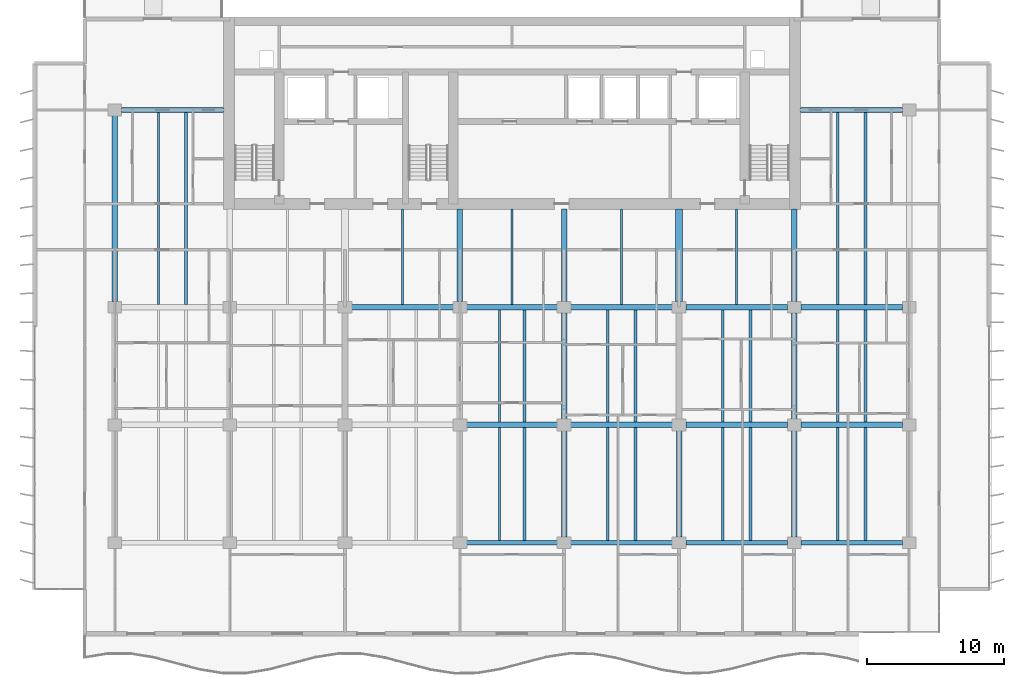
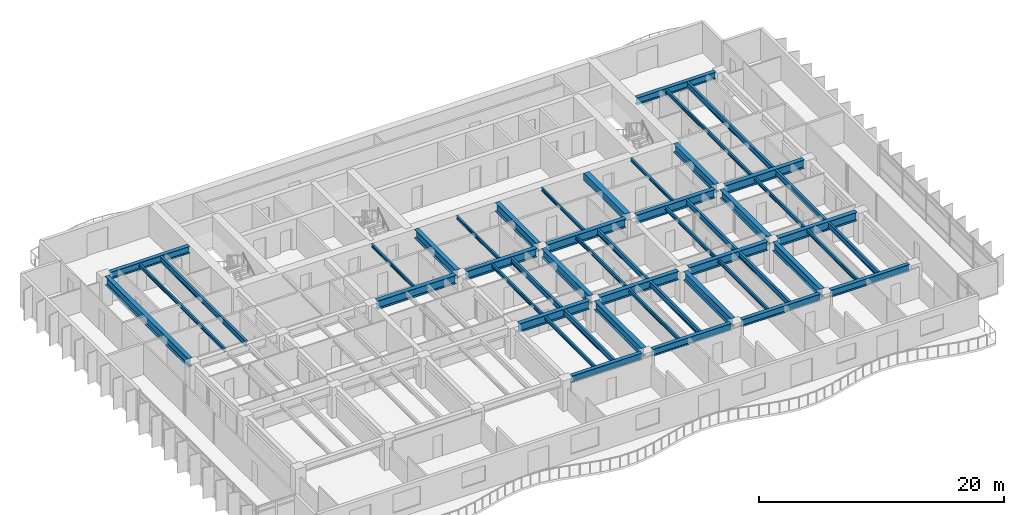
# One storey, part 3 of 19: 49 beams.
"""IFC4 building model written with IfcOpenShell, lengths in metres."""

from ifc_helpers import new_model, si_unit, direction, frame, origin, origin_2d, place, context, subcontext, project, spatial, rectangle, i_section, extrude, material, material_profile, profile_set, type_object, element, save


model = new_model("IFC4")

# Units and contexts
model_context = context("Model", 3, precision=1e-05, world=origin(), true_north=direction((0.0, 1.0)))
body_context = subcontext(model_context, "Body", "Model", "MODEL_VIEW")
ifc_project = project(units=[si_unit("LENGTHUNIT", "METRE"), si_unit("AREAUNIT", "SQUARE_METRE"), si_unit("VOLUMEUNIT", "CUBIC_METRE"), si_unit("PLANEANGLEUNIT", "RADIAN"), si_unit("MASSUNIT", "GRAM", prefix="KILO")], contexts=[model_context])

# Site, building, storey
site_placement = place(None, origin())
site = spatial("IfcSite", under=ifc_project, at=site_placement, CompositionType="ELEMENT")
building_placement = place(site_placement, origin())
building = spatial("IfcBuilding", under=site, at=building_placement, Name="Caelmar Bay Residences", CompositionType="ELEMENT")
storey_placement = place(building_placement, frame((0.0, 0.0, 115.800048828125)))
storey = spatial("IfcBuildingStorey", under=building, at=storey_placement, Name="L31", CompositionType="ELEMENT", Elevation=115.800048828125)

# Beams
ifc_material_1 = material(Name="Steel ASTM A992 Grade 50", Category="steel")
ifc_material_profile_1 = material_profile(ifc_material_1, i_section(OverallWidth=0.40087890625, OverallDepth=0.861083984375, WebThickness=0.019775390625, FlangeThickness=0.032470703125, FilletRadius=0.017822265625, at=origin_2d()), Name="W33X221")
ifc_profile_set_1 = profile_set([ifc_material_profile_1], Name="Steel ASTM A992 Grade 50")
beam_type_1 = type_object("IfcBeamType", Name="BM-GRD-W33X221", PredefinedType="BEAM", material=ifc_profile_set_1)
beam_1_placement = place(storey_placement, frame((35.590087890625, 20.800048828125, 2.619384765625), z_axis=(1.0, 0.0, 0.0), x_axis=(0.0, 1.0, 0.0)))
element("IfcBeam", 1, at=beam_1_placement, inside=storey, type_object=beam_type_1, Name="L31 East-West Girder Y=20.80 (35.1-42.7)", PredefinedType="BEAM", context=body_context, shape_type="SweptSolid", body=[
    extrude(i_section(OverallWidth=0.40087890625, OverallDepth=0.861083984375, WebThickness=0.019775390625, FlangeThickness=0.032470703125, FilletRadius=0.017822265625, at=origin_2d()), origin(), (0.0, 0.0, 1.0), 6.619873046875),
])
beam_2_placement = place(storey_placement, frame((43.18994140625, 20.800048828125, 2.619384765625), z_axis=(1.0, 0.0, 0.0), x_axis=(0.0, 1.0, 0.0)))
element("IfcBeam", 2, at=beam_2_placement, inside=storey, type_object=beam_type_1, Name="L31 East-West Girder Y=20.80 (42.7-51.1)", PredefinedType="BEAM", context=body_context, shape_type="SweptSolid", body=[
    extrude(i_section(OverallWidth=0.40087890625, OverallDepth=0.861083984375, WebThickness=0.019775390625, FlangeThickness=0.032470703125, FilletRadius=0.017822265625, at=origin_2d()), origin(), (0.0, 0.0, 1.0), 7.420166015625),
])
for number, where, z_axis, x_axis, name in (
    (3, (51.590087890625, 20.800048828125, 2.619384765625), (1.0, 0.0, 0.0), (0.0, 1.0, 0.0), "L31 East-West Girder Y=20.80 (51.1-59.5)"),
    (4, (59.989990234375, 20.800048828125, 2.619384765625), (1.0, 0.0, 0.0), (0.0, 1.0, 0.0), "L31 East-West Girder Y=20.80 (59.5-67.9)"),
):
    element("IfcBeam", number, at=place(storey_placement, frame(where, z_axis=z_axis, x_axis=x_axis)), inside=storey, type_object=beam_type_1, Name=name, PredefinedType="BEAM", context=body_context, shape_type="SweptSolid", body=[
        extrude(i_section(OverallWidth=0.40087890625, OverallDepth=0.861083984375, WebThickness=0.019775390625, FlangeThickness=0.032470703125, FilletRadius=0.017822265625, at=origin_2d()), origin(), (0.0, 0.0, 1.0), 7.419921875),
    ])
beam_3_placement = place(storey_placement, frame((27.18994140625, 29.39990234375, 2.619384765625), z_axis=(1.0, 0.0, 0.0), x_axis=(0.0, 1.0, 0.0)))
element("IfcBeam", 5, at=beam_3_placement, inside=storey, type_object=beam_type_1, Name="L31 East-West Girder Y=29.40 (26.7-35.1)", PredefinedType="BEAM", context=body_context, shape_type="SweptSolid", body=[
    extrude(i_section(OverallWidth=0.40087890625, OverallDepth=0.861083984375, WebThickness=0.019775390625, FlangeThickness=0.032470703125, FilletRadius=0.017822265625, at=origin_2d()), origin(), (0.0, 0.0, 1.0), 7.420166015625),
])
beam_4_placement = place(storey_placement, frame((35.590087890625, 29.39990234375, 2.619384765625), z_axis=(1.0, 0.0, 0.0), x_axis=(0.0, 1.0, 0.0)))
element("IfcBeam", 6, at=beam_4_placement, inside=storey, type_object=beam_type_1, Name="L31 East-West Girder Y=29.40 (35.1-42.7)", PredefinedType="BEAM", context=body_context, shape_type="SweptSolid", body=[
    extrude(i_section(OverallWidth=0.40087890625, OverallDepth=0.861083984375, WebThickness=0.019775390625, FlangeThickness=0.032470703125, FilletRadius=0.017822265625, at=origin_2d()), origin(), (0.0, 0.0, 1.0), 6.619873046875),
])
beam_5_placement = place(storey_placement, frame((43.18994140625, 29.39990234375, 2.619384765625), z_axis=(1.0, 0.0, 0.0), x_axis=(0.0, 1.0, 0.0)))
element("IfcBeam", 7, at=beam_5_placement, inside=storey, type_object=beam_type_1, Name="L31 East-West Girder Y=29.40 (42.7-51.1)", PredefinedType="BEAM", context=body_context, shape_type="SweptSolid", body=[
    extrude(i_section(OverallWidth=0.40087890625, OverallDepth=0.861083984375, WebThickness=0.019775390625, FlangeThickness=0.032470703125, FilletRadius=0.017822265625, at=origin_2d()), origin(), (0.0, 0.0, 1.0), 7.420166015625),
])
for number, where, z_axis, x_axis, name in (
    (8, (51.590087890625, 29.39990234375, 2.619384765625), (1.0, 0.0, 0.0), (0.0, 1.0, 0.0), "L31 East-West Girder Y=29.40 (51.1-59.5)"),
    (9, (59.989990234375, 29.39990234375, 2.619384765625), (1.0, 0.0, 0.0), (0.0, 1.0, 0.0), "L31 East-West Girder Y=29.40 (59.5-67.9)"),
):
    element("IfcBeam", number, at=place(storey_placement, frame(where, z_axis=z_axis, x_axis=x_axis)), inside=storey, type_object=beam_type_1, Name=name, PredefinedType="BEAM", context=body_context, shape_type="SweptSolid", body=[
        extrude(i_section(OverallWidth=0.40087890625, OverallDepth=0.861083984375, WebThickness=0.019775390625, FlangeThickness=0.032470703125, FilletRadius=0.017822265625, at=origin_2d()), origin(), (0.0, 0.0, 1.0), 7.419921875),
    ])
beam_6_placement = place(storey_placement, frame((9.89990234375, 29.81494140625, 2.619384765625), z_axis=(0.0, 1.0, 0.0), x_axis=(-1.0, 0.0, 0.0)))
element("IfcBeam", 10, at=beam_6_placement, inside=storey, type_object=beam_type_1, Name="L31 North-South Girder X=9.90 (29.4-43.8)", PredefinedType="BEAM", context=body_context, shape_type="SweptSolid", body=[
    extrude(i_section(OverallWidth=0.40087890625, OverallDepth=0.861083984375, WebThickness=0.019775390625, FlangeThickness=0.032470703125, FilletRadius=0.017822265625, at=origin_2d()), origin(), (0.0, 0.0, 1.0), 13.570068359375),
])
for number, where, z_axis, x_axis, name in (
    (11, (35.10009765625, 29.81494140625, 2.619384765625), (0.0, 1.0, 0.0), (-1.0, 0.0, 0.0), "L31 Core Tie Girder X=35.10"),
    (12, (42.699951171875, 29.81494140625, 2.619384765625), (0.0, 1.0, 0.0), (-1.0, 0.0, 0.0), "L31 Core Tie Girder X=42.70"),
):
    element("IfcBeam", number, at=place(storey_placement, frame(where, z_axis=z_axis, x_axis=x_axis)), inside=storey, type_object=beam_type_1, Name=name, PredefinedType="BEAM", context=body_context, shape_type="SweptSolid", body=[
        extrude(i_section(OverallWidth=0.40087890625, OverallDepth=0.861083984375, WebThickness=0.019775390625, FlangeThickness=0.032470703125, FilletRadius=0.017822265625, at=origin_2d()), origin(), (0.0, 0.0, 1.0), 6.735107421875),
    ])
for number, where, z_axis, x_axis, name in (
    (13, (42.699951171875, 12.614990234375, 2.619384765625), (0.0, 1.0, 0.0), (-1.0, 0.0, 0.0), "L31 North-South Girder X=42.70 (12.2-20.8)"),
    (14, (42.699951171875, 21.215087890625, 2.619384765625), (0.0, 1.0, 0.0), (-1.0, 0.0, 0.0), "L31 North-South Girder X=42.70 (20.8-29.4)"),
    (15, (51.10009765625, 12.614990234375, 2.619384765625), (0.0, 1.0, 0.0), (-1.0, 0.0, 0.0), "L31 North-South Girder X=51.10 (12.2-20.8)"),
):
    element("IfcBeam", number, at=place(storey_placement, frame(where, z_axis=z_axis, x_axis=x_axis)), inside=storey, type_object=beam_type_1, Name=name, PredefinedType="BEAM", context=body_context, shape_type="SweptSolid", body=[
        extrude(i_section(OverallWidth=0.40087890625, OverallDepth=0.861083984375, WebThickness=0.019775390625, FlangeThickness=0.032470703125, FilletRadius=0.017822265625, at=origin_2d()), origin(), (0.0, 0.0, 1.0), 7.77001953125),
    ])
beam_7_placement = place(storey_placement, frame((59.5, 29.81494140625, 2.619384765625), z_axis=(0.0, 1.0, 0.0), x_axis=(-1.0, 0.0, 0.0)))
element("IfcBeam", 16, at=beam_7_placement, inside=storey, type_object=beam_type_1, Name="L31 Core Tie Girder X=59.50", PredefinedType="BEAM", context=body_context, shape_type="SweptSolid", body=[
    extrude(i_section(OverallWidth=0.40087890625, OverallDepth=0.861083984375, WebThickness=0.019775390625, FlangeThickness=0.032470703125, FilletRadius=0.017822265625, at=origin_2d()), origin(), (0.0, 0.0, 1.0), 6.735107421875),
])
for number, where, z_axis, x_axis, name in (
    (17, (59.5, 12.614990234375, 2.619384765625), (0.0, 1.0, 0.0), (-1.0, 0.0, 0.0), "L31 North-South Girder X=59.50 (12.2-20.8)"),
    (18, (59.5, 21.215087890625, 2.619384765625), (0.0, 1.0, 0.0), (-1.0, 0.0, 0.0), "L31 North-South Girder X=59.50 (20.8-29.4)"),
):
    element("IfcBeam", number, at=place(storey_placement, frame(where, z_axis=z_axis, x_axis=x_axis)), inside=storey, type_object=beam_type_1, Name=name, PredefinedType="BEAM", context=body_context, shape_type="SweptSolid", body=[
        extrude(i_section(OverallWidth=0.40087890625, OverallDepth=0.861083984375, WebThickness=0.019775390625, FlangeThickness=0.032470703125, FilletRadius=0.017822265625, at=origin_2d()), origin(), (0.0, 0.0, 1.0), 7.77001953125),
    ])
ifc_material_profile_2 = material_profile(ifc_material_1, i_section(OverallWidth=0.1650390625, OverallDepth=0.31005859375, WebThickness=0.005859375, FlangeThickness=0.009765625, FilletRadius=0.007568359375, at=origin_2d()), Name="W12X26")
ifc_profile_set_2 = profile_set([ifc_material_profile_2], Name="Steel ASTM A992 Grade 50")
beam_type_2 = type_object("IfcBeamType", Name="BM-JST-W12X26", PredefinedType="JOIST", material=ifc_profile_set_2)
for number, where, z_axis, x_axis, name in (
    (19, (30.89990234375, 29.6005859375, 2.89501953125), (0.0, 1.0, 0.0), (-1.0, 0.0, 0.0), "L31 Core-Band Composite Joist 30"),
    (20, (38.89990234375, 29.6005859375, 2.89501953125), (0.0, 1.0, 0.0), (-1.0, 0.0, 0.0), "L31 Core-Band Composite Joist 31"),
    (21, (46.89990234375, 29.6005859375, 2.89501953125), (0.0, 1.0, 0.0), (-1.0, 0.0, 0.0), "L31 Core-Band Composite Joist 32"),
    (22, (55.300048828125, 29.6005859375, 2.89501953125), (0.0, 1.0, 0.0), (-1.0, 0.0, 0.0), "L31 Core-Band Composite Joist 33"),
):
    element("IfcBeam", number, at=place(storey_placement, frame(where, z_axis=z_axis, x_axis=x_axis)), inside=storey, type_object=beam_type_2, Name=name, PredefinedType="JOIST", context=body_context, shape_type="SweptSolid", body=[
        extrude(i_section(OverallWidth=0.1650390625, OverallDepth=0.31005859375, WebThickness=0.005859375, FlangeThickness=0.009765625, FilletRadius=0.007568359375, at=origin_2d()), origin(), (0.0, 0.0, 1.0), 6.949462890625),
    ])
ifc_material_profile_3 = material_profile(ifc_material_1, i_section(OverallWidth=0.1708984375, OverallDepth=0.35595703125, WebThickness=0.007080078125, FlangeThickness=0.01171875, FilletRadius=0.007568359375, at=origin_2d()), Name="W14X34")
ifc_profile_set_3 = profile_set([ifc_material_profile_3], Name="Steel ASTM A992 Grade 50")
beam_type_3 = type_object("IfcBeamType", Name="BM-JST-W14X34", PredefinedType="JOIST", material=ifc_profile_set_3)
for number, where, z_axis, x_axis, name in (
    (23, (37.988037109375, 12.3779296875, 2.8720703125), (0.0, 1.0, 0.0), (-1.0, 0.0, 0.0), "L31 Composite Floor Joist 7"),
    (24, (45.89208984375, 12.3779296875, 2.8720703125), (0.0, 1.0, 0.0), (-1.0, 0.0, 0.0), "L31 Composite Floor Joist 9"),
    (25, (54.2919921875, 12.3779296875, 2.8720703125), (0.0, 1.0, 0.0), (-1.0, 0.0, 0.0), "L31 Composite Floor Joist 11"),
    (26, (62.69189453125, 12.3779296875, 2.8720703125), (0.0, 1.0, 0.0), (-1.0, 0.0, 0.0), "L31 Composite Floor Joist 13"),
):
    element("IfcBeam", number, at=place(storey_placement, frame(where, z_axis=z_axis, x_axis=x_axis)), inside=storey, type_object=beam_type_3, Name=name, PredefinedType="JOIST", context=body_context, shape_type="SweptSolid", body=[
        extrude(i_section(OverallWidth=0.1708984375, OverallDepth=0.35595703125, WebThickness=0.007080078125, FlangeThickness=0.01171875, FilletRadius=0.007568359375, at=origin_2d()), origin(), (0.0, 0.0, 1.0), 8.2216796875),
    ])
for number, where, z_axis, x_axis, name in (
    (27, (37.988037109375, 21.00048828125, 2.8720703125), (0.0, 1.0, 0.0), (-1.0, 0.0, 0.0), "L31 Composite Floor Joist 21"),
    (28, (45.89208984375, 21.00048828125, 2.8720703125), (0.0, 1.0, 0.0), (-1.0, 0.0, 0.0), "L31 Composite Floor Joist 23"),
    (29, (54.2919921875, 21.00048828125, 2.8720703125), (0.0, 1.0, 0.0), (-1.0, 0.0, 0.0), "L31 Composite Floor Joist 25"),
    (30, (62.69189453125, 21.00048828125, 2.8720703125), (0.0, 1.0, 0.0), (-1.0, 0.0, 0.0), "L31 Composite Floor Joist 27"),
):
    element("IfcBeam", number, at=place(storey_placement, frame(where, z_axis=z_axis, x_axis=x_axis)), inside=storey, type_object=beam_type_3, Name=name, PredefinedType="JOIST", context=body_context, shape_type="SweptSolid", body=[
        extrude(i_section(OverallWidth=0.1708984375, OverallDepth=0.35595703125, WebThickness=0.007080078125, FlangeThickness=0.01171875, FilletRadius=0.007568359375, at=origin_2d()), origin(), (0.0, 0.0, 1.0), 8.198974609375),
    ])
for number, where, z_axis, x_axis, name in (
    (31, (13.092041015625, 29.6005859375, 2.8720703125), (0.0, 1.0, 0.0), (-1.0, 0.0, 0.0), "L31 Composite Floor Joist 34"),
    (32, (62.69189453125, 29.6005859375, 2.8720703125), (0.0, 1.0, 0.0), (-1.0, 0.0, 0.0), "L31 Composite Floor Joist 36"),
):
    element("IfcBeam", number, at=place(storey_placement, frame(where, z_axis=z_axis, x_axis=x_axis)), inside=storey, type_object=beam_type_3, Name=name, PredefinedType="JOIST", context=body_context, shape_type="SweptSolid", body=[
        extrude(i_section(OverallWidth=0.1708984375, OverallDepth=0.35595703125, WebThickness=0.007080078125, FlangeThickness=0.01171875, FilletRadius=0.007568359375, at=origin_2d()), origin(), (0.0, 0.0, 1.0), 14.021484375),
    ])
ifc_material_profile_4 = material_profile(ifc_material_1, i_section(OverallWidth=0.2099609375, OverallDepth=0.535888671875, WebThickness=0.010986328125, FlangeThickness=0.017333984375, FilletRadius=0.0126953125, at=origin_2d()), Name="W21X68")
ifc_profile_set_4 = profile_set([ifc_material_profile_4], Name="Steel ASTM A992 Grade 50")
beam_type_4 = type_object("IfcBeamType", Name="BM-JST-W21X68", PredefinedType="JOIST", material=ifc_profile_set_4)
for number, where, z_axis, x_axis, name in (
    (33, (39.81201171875, 12.3779296875, 2.781982421875), (0.0, 1.0, 0.0), (-1.0, 0.0, 0.0), "L31 Composite Floor Joist 8"),
    (34, (47.907958984375, 12.3779296875, 2.781982421875), (0.0, 1.0, 0.0), (-1.0, 0.0, 0.0), "L31 Composite Floor Joist 10"),
    (35, (56.30810546875, 12.3779296875, 2.781982421875), (0.0, 1.0, 0.0), (-1.0, 0.0, 0.0), "L31 Composite Floor Joist 12"),
    (36, (64.7080078125, 12.3779296875, 2.781982421875), (0.0, 1.0, 0.0), (-1.0, 0.0, 0.0), "L31 Composite Floor Joist 14"),
):
    element("IfcBeam", number, at=place(storey_placement, frame(where, z_axis=z_axis, x_axis=x_axis)), inside=storey, type_object=beam_type_4, Name=name, PredefinedType="JOIST", context=body_context, shape_type="SweptSolid", body=[
        extrude(i_section(OverallWidth=0.2099609375, OverallDepth=0.535888671875, WebThickness=0.010986328125, FlangeThickness=0.017333984375, FilletRadius=0.0126953125, at=origin_2d()), origin(), (0.0, 0.0, 1.0), 8.2216796875),
    ])
for number, where, z_axis, x_axis, name in (
    (37, (39.81201171875, 21.00048828125, 2.781982421875), (0.0, 1.0, 0.0), (-1.0, 0.0, 0.0), "L31 Composite Floor Joist 22"),
    (38, (47.907958984375, 21.00048828125, 2.781982421875), (0.0, 1.0, 0.0), (-1.0, 0.0, 0.0), "L31 Composite Floor Joist 24"),
    (39, (56.30810546875, 21.00048828125, 2.781982421875), (0.0, 1.0, 0.0), (-1.0, 0.0, 0.0), "L31 Composite Floor Joist 26"),
    (40, (64.7080078125, 21.00048828125, 2.781982421875), (0.0, 1.0, 0.0), (-1.0, 0.0, 0.0), "L31 Composite Floor Joist 28"),
):
    element("IfcBeam", number, at=place(storey_placement, frame(where, z_axis=z_axis, x_axis=x_axis)), inside=storey, type_object=beam_type_4, Name=name, PredefinedType="JOIST", context=body_context, shape_type="SweptSolid", body=[
        extrude(i_section(OverallWidth=0.2099609375, OverallDepth=0.535888671875, WebThickness=0.010986328125, FlangeThickness=0.017333984375, FilletRadius=0.0126953125, at=origin_2d()), origin(), (0.0, 0.0, 1.0), 8.198974609375),
    ])
for number, where, z_axis, x_axis, name in (
    (41, (15.10791015625, 29.6005859375, 2.781982421875), (0.0, 1.0, 0.0), (-1.0, 0.0, 0.0), "L31 Composite Floor Joist 35"),
    (42, (64.7080078125, 29.6005859375, 2.781982421875), (0.0, 1.0, 0.0), (-1.0, 0.0, 0.0), "L31 Composite Floor Joist 37"),
):
    element("IfcBeam", number, at=place(storey_placement, frame(where, z_axis=z_axis, x_axis=x_axis)), inside=storey, type_object=beam_type_4, Name=name, PredefinedType="JOIST", context=body_context, shape_type="SweptSolid", body=[
        extrude(i_section(OverallWidth=0.2099609375, OverallDepth=0.535888671875, WebThickness=0.010986328125, FlangeThickness=0.017333984375, FilletRadius=0.0126953125, at=origin_2d()), origin(), (0.0, 0.0, 1.0), 14.021484375),
    ])
ifc_material_2 = material(Name="Concrete f'c 55 MPa (8,000 psi)", Category="concrete")
ifc_material_profile_5 = material_profile(ifc_material_2, rectangle(XDim=0.5, YDim=0.699951171875, at=origin_2d()), Name="RC-BM-500X700")
ifc_profile_set_5 = profile_set([ifc_material_profile_5], Name="Concrete f'c 55 MPa (8,000 psi)")
beam_type_5 = type_object("IfcBeamType", Name="BM-RC-500X700", PredefinedType="LINTEL", material=ifc_profile_set_5)
beam_8_placement = place(storey_placement, frame((51.10009765625, 29.81494140625, 2.699951171875), z_axis=(0.0, 1.0, 0.0), x_axis=(-1.0, 0.0, 0.0)))
element("IfcBeam", 43, at=beam_8_placement, inside=storey, type_object=beam_type_5, Name="L31 Shear-Wall Corridor Coupling Lintel E8", PredefinedType="LINTEL", context=body_context, shape_type="SweptSolid", body=[
    extrude(rectangle(XDim=0.5, YDim=0.699951171875, at=origin_2d()), origin(), (0.0, 0.0, 1.0), 6.735107421875),
])
ifc_material_profile_6 = material_profile(ifc_material_1, i_section(OverallWidth=0.35595703125, OverallDepth=0.696044921875, WebThickness=0.015380859375, FlangeThickness=0.02490234375, FilletRadius=0.01513671875, at=origin_2d()), Name="W27X146")
ifc_profile_set_6 = profile_set([ifc_material_profile_6], Name="Steel ASTM A992 Grade 50")
beam_type_6 = type_object("IfcBeamType", Name="BM-SPN-W27X146", PredefinedType="SPANDREL", material=ifc_profile_set_6)
beam_9_placement = place(storey_placement, frame((35.590087890625, 12.199951171875, 2.701904296875), z_axis=(1.0, 0.0, 0.0), x_axis=(0.0, 1.0, 0.0)))
element("IfcBeam", 44, at=beam_9_placement, inside=storey, type_object=beam_type_6, Name="L31 East-West Girder Y=12.20 (35.1-42.7)", PredefinedType="SPANDREL", context=body_context, shape_type="SweptSolid", body=[
    extrude(i_section(OverallWidth=0.35595703125, OverallDepth=0.696044921875, WebThickness=0.015380859375, FlangeThickness=0.02490234375, FilletRadius=0.01513671875, at=origin_2d()), origin(), (0.0, 0.0, 1.0), 6.619873046875),
])
beam_10_placement = place(storey_placement, frame((43.18994140625, 12.199951171875, 2.701904296875), z_axis=(1.0, 0.0, 0.0), x_axis=(0.0, 1.0, 0.0)))
element("IfcBeam", 45, at=beam_10_placement, inside=storey, type_object=beam_type_6, Name="L31 East-West Girder Y=12.20 (42.7-51.1)", PredefinedType="SPANDREL", context=body_context, shape_type="SweptSolid", body=[
    extrude(i_section(OverallWidth=0.35595703125, OverallDepth=0.696044921875, WebThickness=0.015380859375, FlangeThickness=0.02490234375, FilletRadius=0.01513671875, at=origin_2d()), origin(), (0.0, 0.0, 1.0), 7.420166015625),
])
for number, where, z_axis, x_axis, name in (
    (46, (51.590087890625, 12.199951171875, 2.701904296875), (1.0, 0.0, 0.0), (0.0, 1.0, 0.0), "L31 East-West Girder Y=12.20 (51.1-59.5)"),
    (47, (59.989990234375, 12.199951171875, 2.701904296875), (1.0, 0.0, 0.0), (0.0, 1.0, 0.0), "L31 East-West Girder Y=12.20 (59.5-67.9)"),
):
    element("IfcBeam", number, at=place(storey_placement, frame(where, z_axis=z_axis, x_axis=x_axis)), inside=storey, type_object=beam_type_6, Name=name, PredefinedType="SPANDREL", context=body_context, shape_type="SweptSolid", body=[
        extrude(i_section(OverallWidth=0.35595703125, OverallDepth=0.696044921875, WebThickness=0.015380859375, FlangeThickness=0.02490234375, FilletRadius=0.01513671875, at=origin_2d()), origin(), (0.0, 0.0, 1.0), 7.419921875),
    ])
beam_11_placement = place(storey_placement, frame((10.389892578125, 43.800048828125, 2.701904296875), z_axis=(1.0, 0.0, 0.0), x_axis=(0.0, 1.0, 0.0)))
element("IfcBeam", 48, at=beam_11_placement, inside=storey, type_object=beam_type_6, Name="L31 North-West Wing Core Tie Girder", PredefinedType="SPANDREL", context=body_context, shape_type="SweptSolid", body=[
    extrude(i_section(OverallWidth=0.35595703125, OverallDepth=0.696044921875, WebThickness=0.015380859375, FlangeThickness=0.02490234375, FilletRadius=0.01513671875, at=origin_2d()), origin(), (0.0, 0.0, 1.0), 7.460205078125),
])
beam_12_placement = place(storey_placement, frame((59.949951171875, 43.800048828125, 2.701904296875), z_axis=(1.0, 0.0, 0.0), x_axis=(0.0, 1.0, 0.0)))
element("IfcBeam", 49, at=beam_12_placement, inside=storey, type_object=beam_type_6, Name="L31 North-East Wing Core Tie Girder", PredefinedType="SPANDREL", context=body_context, shape_type="SweptSolid", body=[
    extrude(i_section(OverallWidth=0.35595703125, OverallDepth=0.696044921875, WebThickness=0.015380859375, FlangeThickness=0.02490234375, FilletRadius=0.01513671875, at=origin_2d()), origin(), (0.0, 0.0, 1.0), 7.4599609375),
])

save(model, "model.ifc")
